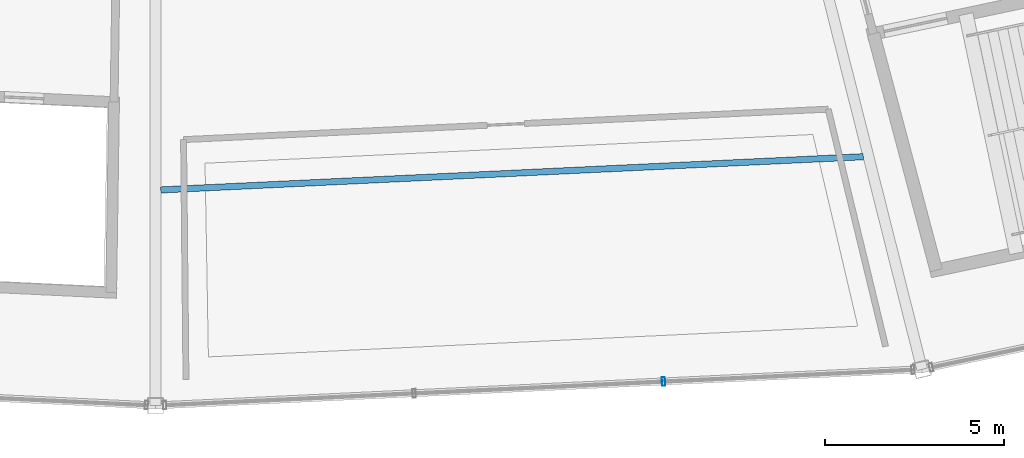
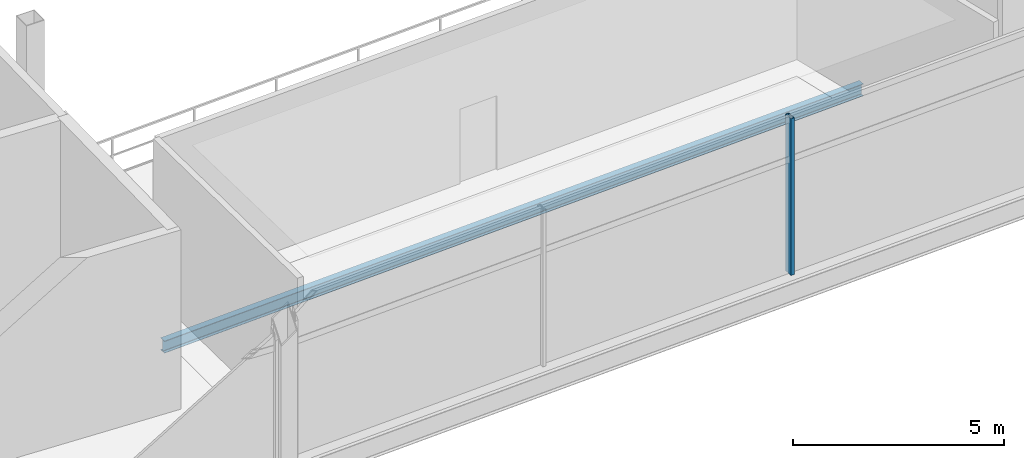
# One storey, part 30 of 103: 1 beam, 1 member, 1 element without a shape of its own.
"""IFC4 building model written with IfcOpenShell, lengths in metres."""

from ifc_helpers import new_model, si_unit, direction, frame, origin, origin_2d, place, context, subcontext, project, spatial, hollow_rectangle, i_section, extrude, material, layer, layer_set, material_profile, profile_set, type_object, element, aggregate, save


model = new_model("IFC4")

# Units and contexts
model_context = context("Model", 3, precision=1e-05, world=origin(), true_north=direction((0.0, 1.0)))
body_context = subcontext(model_context, "Body", "Model", "MODEL_VIEW")
ifc_project = project(units=[si_unit("LENGTHUNIT", "METRE"), si_unit("AREAUNIT", "SQUARE_METRE"), si_unit("VOLUMEUNIT", "CUBIC_METRE"), si_unit("PLANEANGLEUNIT", "RADIAN"), si_unit("MASSUNIT", "GRAM", prefix="KILO")], contexts=[model_context])

# Site, building, storey
site_placement = place(None, origin())
site = spatial("IfcSite", under=ifc_project, at=site_placement, CompositionType="ELEMENT")
building_placement = place(site_placement, origin())
building = spatial("IfcBuilding", under=site, at=building_placement, Name="Kazemori Nagisa Stadium", CompositionType="ELEMENT")
storey_placement = place(building_placement, frame((0.0, 0.0, 25.840087890625)))
storey = spatial("IfcBuildingStorey", under=building, at=storey_placement, Name="L05", CompositionType="ELEMENT", Elevation=25.840087890625)

# Beam
ifc_material_1 = material(Name="Steel SN490B", Category="steel")
ifc_material_profile_1 = material_profile(ifc_material_1, i_section(OverallWidth=0.175048828125, OverallDepth=0.35009765625, WebThickness=0.007080078125, FlangeThickness=0.010986328125, FilletRadius=0.012939453125, at=origin_2d()), Name="H-350x175x7x11")
ifc_profile_set_1 = profile_set([ifc_material_profile_1], Name="Steel SN490B")
beam_type = type_object("IfcBeamType", Name="Beam_BJ-H350", PredefinedType="JOIST", material=ifc_profile_set_1)
beam_placement = place(storey_placement, frame((123.144775390625, 22.02685546875, -0.43505859375), z_axis=(0.998884234836, 0.047225897525, 0.0), x_axis=(-0.047225897525, 0.998884234836, 0.0)))
element("IfcBeam", 1, at=beam_placement, inside=storey, type_object=beam_type, Name="Outer bay joist BJ-H350 L05 B22", PredefinedType="JOIST", context=body_context, shape_type="SweptSolid", body=[
    extrude(i_section(OverallWidth=0.175048828125, OverallDepth=0.35009765625, WebThickness=0.007080078125, FlangeThickness=0.010986328125, FilletRadius=0.012939453125, at=origin_2d()), origin(), (0.0, 0.0, 1.0), 19.66015625),
])

# Curtain wall, member
ifc_material_2 = material(Name="Anodised aluminium 6063-T5", Category="aluminium")
ifc_layer = layer(ifc_material_2, 0.239990234375, Name="Anodised aluminium 6063-T5", Category="aluminium")
ifc_layer_set = layer_set([ifc_layer], Name="Anodised aluminium 6063-T5")
curtain_wall_type = type_object("IfcCurtainWallType", Name="CW_L05R3_105", PredefinedType="USERDEFINED", material=ifc_layer_set)
curtain_wall_placement = place(storey_placement, origin())
curtain_wall = element("IfcCurtainWall", 2, at=curtain_wall_placement, inside=storey, type_object=curtain_wall_type, Name="Unitised curtain wall CW-L05R3-105 L05", ObjectType="UNITISED CURTAIN WALL", PredefinedType="USERDEFINED")
ifc_material_3 = material(Name="Aluminium 6063-T5 anodised", Category="aluminium")
ifc_material_profile_2 = material_profile(ifc_material_3, hollow_rectangle(XDim=0.090087890625, YDim=0.239990234375, WallThickness=0.0048828125, at=origin_2d()), Name="ALU-MULL-90x240x5")
ifc_profile_set_2 = profile_set([ifc_material_profile_2], Name="Aluminium 6063-T5 anodised")
member_type = type_object("IfcMemberType", Name="Mullion_M03", PredefinedType="MULLION", material=ifc_profile_set_2)
member_placement = place(storey_placement, frame((137.2001953125, 16.67138671875, 0.0), z_axis=(0.0, 0.0, 1.0), x_axis=(0.998884022476, 0.047230388971, 0.0)))
member = element("IfcMember", 3, at=member_placement, type_object=member_type, Name="Curtain wall mullion CW-L05R3-105-M3", PredefinedType="MULLION", context=body_context, shape_type="SweptSolid", body=[
    extrude(hollow_rectangle(XDim=0.090087890625, YDim=0.239990234375, WallThickness=0.0048828125, at=origin_2d()), origin(), (0.0, 0.0, 1.0), 4.530029296875),
])
aggregate(curtain_wall, [member])

save(model, "model.ifc")
